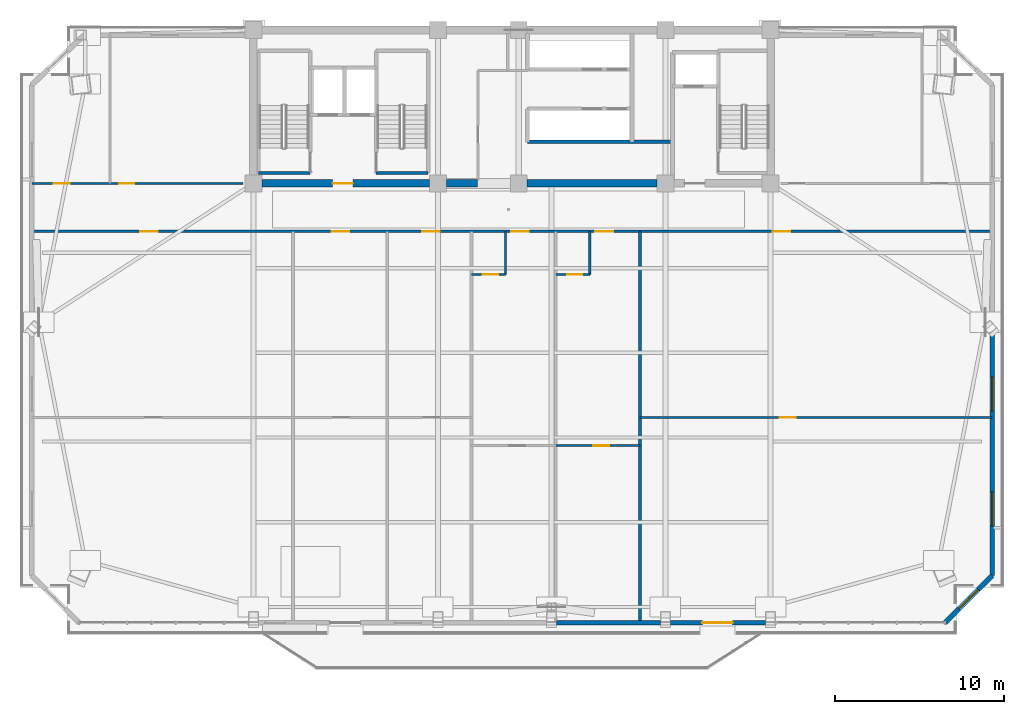
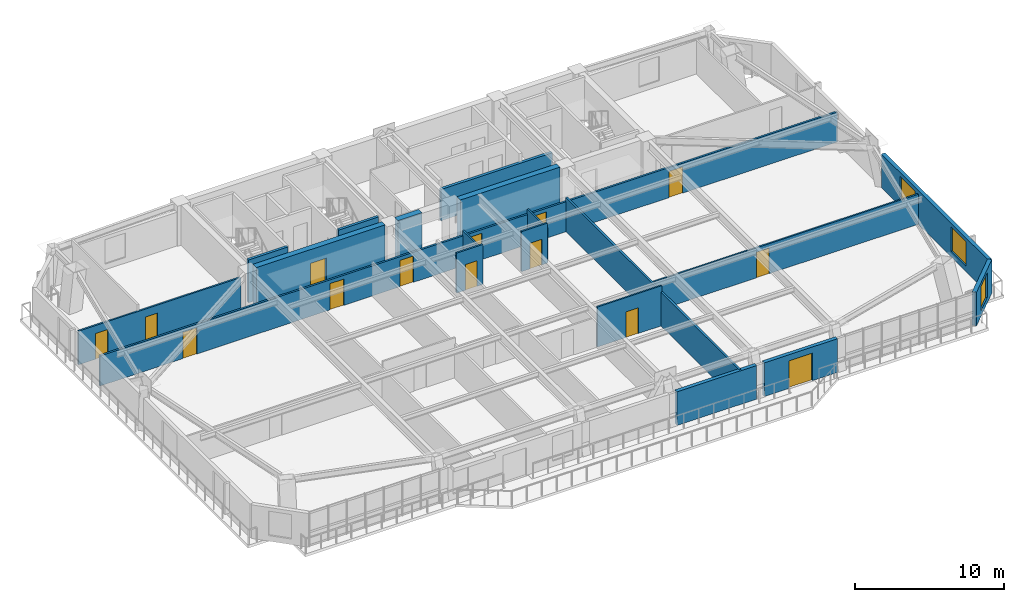
# One storey, part 8 of 16: 19 walls, 14 doors, 3 windows, 17 openings.
"""IFC4 building model written with IfcOpenShell, lengths in metres."""

from ifc_helpers import new_model, si_unit, direction, frame, frame_2d, origin, place, context, subcontext, project, spatial, rectangle, extrude, source, transform, mapped, material, layer, layer_set, type_object, element, fill, save


model = new_model("IFC4")

# Units and contexts
model_context = context("Model", 3, precision=1e-05, world=origin(), true_north=direction((0.0, 1.0)))
body_context = subcontext(model_context, "Body", "Model", "MODEL_VIEW")
ifc_project = project(units=[si_unit("LENGTHUNIT", "METRE"), si_unit("AREAUNIT", "SQUARE_METRE"), si_unit("VOLUMEUNIT", "CUBIC_METRE"), si_unit("PLANEANGLEUNIT", "RADIAN"), si_unit("MASSUNIT", "GRAM", prefix="KILO")], contexts=[model_context])

# Site, building, storey
site_placement = place(None, origin())
site = spatial("IfcSite", under=ifc_project, at=site_placement, CompositionType="ELEMENT")
building_placement = place(site_placement, origin())
building = spatial("IfcBuilding", under=site, at=building_placement, Name="Giltprow Tower", CompositionType="ELEMENT")
storey_placement = place(building_placement, frame((0.0, 0.0, 209.699951171875)))
storey = spatial("IfcBuildingStorey", under=building, at=storey_placement, Name="L53", CompositionType="ELEMENT", Elevation=209.699951171875)

# Wall, opening, window
ifc_material_1 = material(Name="Precast concrete C40", Category="concrete")
ifc_layer_1 = layer(ifc_material_1, 0.300048828125, Name="Precast concrete C40")
ifc_layer_set_1 = layer_set([ifc_layer_1], Name="Precast concrete C40")
wall_type_1 = type_object("IfcWallType", Name="EW-NOTCH-CHAMFER-300", PredefinedType="SOLIDWALL", material=ifc_layer_set_1)
wall_1_placement = place(storey_placement, frame((60.89794921875, 11.385986328125, 0.0), z_axis=(0.0, 0.0, 1.0), x_axis=(0.707106781187, 0.707106781187, 0.0)))
wall_1 = element("IfcWall", 1, at=wall_1_placement, inside=storey, type_object=wall_type_1, Name="L53 Corner Notch Wall SE", PredefinedType="SOLIDWALL", context=body_context, shape_type="SweptSolid", body=[
    extrude(rectangle(XDim=3.9599609375, YDim=0.300048828125, at=frame_2d((1.97998046875, 0.0))), origin(), (0.0, 0.0, 1.0), 2.75),
])
opening_1_placement = place(wall_1_placement, frame((1.179931640625, 0.0, 0.449951171875)))
opening_1 = element("IfcOpeningElement", 2, at=opening_1_placement, cuts=wall_1, Name="Opening WN17", PredefinedType="OPENING", context=body_context, shape_type="SweptSolid", body=[
    extrude(rectangle(XDim=1.60009765625, YDim=2.0, at=frame_2d((0.800048828125, 1.0))), frame((0.0, 0.159912109375, 0.0), z_axis=(0.0, -1.0, 0.0), x_axis=(1.0, 0.0, 0.0)), (0.0, 0.0, 1.0), 0.320068359375),
])
ifc_material_2 = material(Name="Insulated glass", Category="glass")
window_type_1 = type_object("IfcWindowType", Name="WN-COR-1600x2000", PartitioningType="SINGLE_PANEL", PredefinedType="WINDOW", material=ifc_material_2)
shared_shape_1 = source(origin(), body_context, "Body", "SweptSolid", [
    extrude(rectangle(XDim=1.60009765625, YDim=2.0, at=frame_2d((0.800048828125, 1.0))), frame((0.0, 0.030029296875, 0.0), z_axis=(0.0, -1.0, 0.0), x_axis=(1.0, 0.0, 0.0)), (0.0, 0.0, 1.0), 0.06005859375),
])
window_1_placement = place(opening_1_placement, origin())
window_1 = element("IfcWindow", 3, at=window_1_placement, inside=storey, type_object=window_type_1, Name="L53 Corner Notch Window SE", OverallHeight=2.0, OverallWidth=1.60009765625, PartitioningType="SINGLE_PANEL", PredefinedType="WINDOW", context=body_context, shape_type="MappedRepresentation", body=[
    mapped(shared_shape_1, transform((0.0, 0.0, 0.0), x_axis=(1.0, 0.0, 0.0), y_axis=(0.0, 1.0, 0.0), z_axis=(0.0, 0.0, 1.0), scale=1.0)),
])
fill(opening_1, window_1)

# Wall
ifc_layer_2 = layer(ifc_material_1, 0.280029296875, Name="Precast concrete C40")
ifc_layer_set_2 = layer_set([ifc_layer_2], Name="Precast concrete C40")
wall_type_2 = type_object("IfcWallType", Name="EW-TOW-BRONZE-280", PredefinedType="SOLIDWALL", material=ifc_layer_set_2)
wall_2_placement = place(storey_placement, frame((37.85009765625, 11.385986328125, 0.0), z_axis=(0.0, 0.0, 1.0), x_axis=(1.0, 0.0, 0.0)))
element("IfcWall", 4, at=wall_2_placement, inside=storey, type_object=wall_type_2, Name="L53 South Expressed Frame Wall 4", PredefinedType="SOLIDWALL", context=body_context, shape_type="SweptSolid", body=[
    extrude(rectangle(XDim=6.14990234375, YDim=0.280029296875, at=frame_2d((3.074951171875, 0.0))), origin(), (0.0, 0.0, 1.0), 2.75),
])

# Wall, opening, door
wall_3_placement = place(storey_placement, frame((44.60009765625, 11.385986328125, 0.0), z_axis=(0.0, 0.0, 1.0), x_axis=(1.0, 0.0, 0.0)))
wall_3 = element("IfcWall", 5, at=wall_3_placement, inside=storey, type_object=wall_type_2, Name="L53 South Expressed Frame Wall 5", PredefinedType="SOLIDWALL", context=body_context, shape_type="SweptSolid", body=[
    extrude(rectangle(XDim=5.64990234375, YDim=0.280029296875, at=frame_2d((2.824951171875, 0.0))), origin(), (0.0, 0.0, 1.0), 2.75),
])
opening_2_placement = place(wall_3_placement, frame((1.89990234375, 0.0, 0.0)))
opening_2 = element("IfcOpeningElement", 6, at=opening_2_placement, cuts=wall_3, Name="Opening ED25", PredefinedType="OPENING", context=body_context, shape_type="SweptSolid", body=[
    extrude(rectangle(XDim=1.800048828125, YDim=2.25, at=frame_2d((0.89990234375, 1.125))), frame((0.0, 0.14990234375, 0.0), z_axis=(0.0, -1.0, 0.0), x_axis=(1.0, 0.0, 0.0)), (0.0, 0.0, 1.0), 0.300048828125),
])
ifc_material_3 = material(Name="Anodized bronze and glass", Category="glass")
door_type_1 = type_object("IfcDoorType", Name="DR-BALC-SLIDE-1800", OperationType="SLIDING_TO_LEFT", PredefinedType="DOOR", material=ifc_material_3)
shared_shape_2 = source(origin(), body_context, "Body", "SweptSolid", [
    extrude(rectangle(XDim=1.800048828125, YDim=2.25, at=frame_2d((0.89990234375, 1.125))), frame((0.0, 0.02490234375, 0.0), z_axis=(0.0, -1.0, 0.0), x_axis=(1.0, 0.0, 0.0)), (0.0, 0.0, 1.0), 0.050048828125),
])
door_1_placement = place(opening_2_placement, origin())
door_1 = element("IfcDoor", 7, at=door_1_placement, inside=storey, type_object=door_type_1, Name="L53 Waterfront Balcony Sliding Door 2", OperationType="SLIDING_TO_LEFT", OverallHeight=2.25, OverallWidth=1.800048828125, PredefinedType="DOOR", context=body_context, shape_type="MappedRepresentation", body=[
    mapped(shared_shape_2, transform((0.0, 0.0, 0.0), x_axis=(1.0, 0.0, 0.0), y_axis=(0.0, 1.0, 0.0), z_axis=(0.0, 0.0, 1.0), scale=1.0)),
])
fill(opening_2, door_1)

# Wall, openings, windows
wall_4_placement = place(storey_placement, frame((63.697998046875, 14.18603515625, 0.0), z_axis=(0.0, 0.0, 1.0), x_axis=(0.0, 1.0, 0.0)))
wall_4 = element("IfcWall", 8, at=wall_4_placement, inside=storey, type_object=wall_type_2, Name="L53 E Wing Masonry Wall 1", PredefinedType="SOLIDWALL", context=body_context, shape_type="SweptSolid", body=[
    extrude(rectangle(XDim=14.257080078125, YDim=0.280029296875, at=frame_2d((7.12841796875, 0.0))), origin(), (0.0, 0.0, 1.0), 2.75),
])
opening_3_placement = place(wall_4_placement, frame((2.947021484375, 0.0, 0.449951171875)))
opening_3 = element("IfcOpeningElement", 9, at=opening_3_placement, cuts=wall_4, Name="Opening WN21", PredefinedType="OPENING", context=body_context, shape_type="SweptSolid", body=[
    extrude(rectangle(XDim=2.0, YDim=2.0, at=frame_2d((1.0, 1.0))), frame((0.0, 0.14990234375, 0.0), z_axis=(0.0, -1.0, 0.0), x_axis=(1.0, 0.0, 0.0)), (0.0, 0.0, 1.0), 0.300048828125),
])
opening_4_placement = place(wall_4_placement, frame((9.77294921875, 0.0, 0.449951171875)))
opening_4 = element("IfcOpeningElement", 10, at=opening_4_placement, cuts=wall_4, Name="Opening WN21", PredefinedType="OPENING", context=body_context, shape_type="SweptSolid", body=[
    extrude(rectangle(XDim=2.0, YDim=2.0, at=frame_2d((1.0, 1.0))), frame((0.0, 0.14990234375, 0.0), z_axis=(0.0, -1.0, 0.0), x_axis=(1.0, 0.0, 0.0)), (0.0, 0.0, 1.0), 0.300048828125),
])
window_type_2 = type_object("IfcWindowType", Name="WN-HTL-2000x2000", PartitioningType="DOUBLE_PANEL_VERTICAL", PredefinedType="WINDOW", material=ifc_material_2)
shared_shape_3 = source(origin(), body_context, "Body", "SweptSolid", [
    extrude(rectangle(XDim=2.0, YDim=2.0, at=frame_2d((1.0, 1.0))), frame((0.0, 0.030029296875, 0.0), z_axis=(0.0, -1.0, 0.0), x_axis=(1.0, 0.0, 0.0)), (0.0, 0.0, 1.0), 0.06005859375),
])
window_2_placement = place(opening_3_placement, origin())
window_2 = element("IfcWindow", 11, at=window_2_placement, inside=storey, type_object=window_type_2, Name="L53 E Wing Window 1-1A", OverallHeight=2.0, OverallWidth=2.0, PartitioningType="SINGLE_PANEL", PredefinedType="WINDOW", context=body_context, shape_type="MappedRepresentation", body=[
    mapped(shared_shape_3, transform((0.0, 0.0, 0.0), x_axis=(1.0, 0.0, 0.0), y_axis=(0.0, 1.0, 0.0), z_axis=(0.0, 0.0, 1.0), scale=1.0)),
])
fill(opening_3, window_2)
window_3_placement = place(opening_4_placement, origin())
window_3 = element("IfcWindow", 12, at=window_3_placement, inside=storey, type_object=window_type_2, Name="L53 E Wing Window 1-1B", OverallHeight=2.0, OverallWidth=2.0, PartitioningType="SINGLE_PANEL", PredefinedType="WINDOW", context=body_context, shape_type="MappedRepresentation", body=[
    mapped(shared_shape_3, transform((0.0, 0.0, 0.0), x_axis=(1.0, 0.0, 0.0), y_axis=(0.0, 1.0, 0.0), z_axis=(0.0, 0.0, 1.0), scale=1.0)),
])
fill(opening_4, window_3)

# Wall, openings, doors
ifc_material_4 = material(Name="Gypsum stud partition", Category="gypsum")
ifc_layer_3 = layer(ifc_material_4, 0.14990234375, Name="Gypsum stud partition")
ifc_layer_set_3 = layer_set([ifc_layer_3], Name="Gypsum stud partition")
wall_type_3 = type_object("IfcWallType", Name="IW-CORR-150", PredefinedType="PARTITIONING", material=ifc_layer_set_3)
wall_5_placement = place(storey_placement, frame((6.702880859375, 34.60009765625, 0.0), z_axis=(0.0, 0.0, 1.0), x_axis=(1.0, 0.0, 0.0)))
wall_5 = element("IfcWall", 13, at=wall_5_placement, inside=storey, type_object=wall_type_3, Name="L53 Hotel Guestroom Corridor Wall", PredefinedType="PARTITIONING", context=body_context, shape_type="SweptSolid", body=[
    extrude(rectangle(XDim=56.9951171875, YDim=0.14990234375, at=frame_2d((28.49755859375, 0.0))), origin(), (0.0, 0.0, 1.0), 2.455078125),
])
opening_5_placement = place(wall_5_placement, frame((6.43896484375, 0.0, 0.0)))
opening_5 = element("IfcOpeningElement", 14, at=opening_5_placement, cuts=wall_5, Name="Opening ID31", PredefinedType="OPENING", context=body_context, shape_type="SweptSolid", body=[
    extrude(rectangle(XDim=1.050048828125, YDim=2.14990234375, at=frame_2d((0.52490234375, 1.074951171875))), frame((0.0, 0.0849609375, 0.0), z_axis=(0.0, -1.0, 0.0), x_axis=(1.0, 0.0, 0.0)), (0.0, 0.0, 1.0), 0.169921875),
])
opening_6_placement = place(wall_5_placement, frame((17.7939453125, 0.0, 0.0)))
opening_6 = element("IfcOpeningElement", 15, at=opening_6_placement, cuts=wall_5, Name="Opening ID31", PredefinedType="OPENING", context=body_context, shape_type="SweptSolid", body=[
    extrude(rectangle(XDim=1.050048828125, YDim=2.14990234375, at=frame_2d((0.52490234375, 1.074951171875))), frame((0.0, 0.0849609375, 0.0), z_axis=(0.0, -1.0, 0.0), x_axis=(1.0, 0.0, 0.0)), (0.0, 0.0, 1.0), 0.169921875),
])
opening_7_placement = place(wall_5_placement, frame((23.166015625, 0.0, 0.0)))
opening_7 = element("IfcOpeningElement", 16, at=opening_7_placement, cuts=wall_5, Name="Opening ID31", PredefinedType="OPENING", context=body_context, shape_type="SweptSolid", body=[
    extrude(rectangle(XDim=1.050048828125, YDim=2.14990234375, at=frame_2d((0.52490234375, 1.074951171875))), frame((0.0, 0.0849609375, 0.0), z_axis=(0.0, -1.0, 0.0), x_axis=(1.0, 0.0, 0.0)), (0.0, 0.0, 1.0), 0.169921875),
])
opening_8_placement = place(wall_5_placement, frame((28.452880859375, 0.0, 0.0)))
opening_8 = element("IfcOpeningElement", 17, at=opening_8_placement, cuts=wall_5, Name="Opening ID31", PredefinedType="OPENING", context=body_context, shape_type="SweptSolid", body=[
    extrude(rectangle(XDim=1.050048828125, YDim=2.14990234375, at=frame_2d((0.52490234375, 1.074951171875))), frame((0.0, 0.0849609375, 0.0), z_axis=(0.0, -1.0, 0.0), x_axis=(1.0, 0.0, 0.0)), (0.0, 0.0, 1.0), 0.169921875),
])
opening_9_placement = place(wall_5_placement, frame((33.452880859375, 0.0, 0.0)))
opening_9 = element("IfcOpeningElement", 18, at=opening_9_placement, cuts=wall_5, Name="Opening ID31", PredefinedType="OPENING", context=body_context, shape_type="SweptSolid", body=[
    extrude(rectangle(XDim=1.050048828125, YDim=2.14990234375, at=frame_2d((0.52490234375, 1.074951171875))), frame((0.0, 0.0849609375, 0.0), z_axis=(0.0, -1.0, 0.0), x_axis=(1.0, 0.0, 0.0)), (0.0, 0.0, 1.0), 0.169921875),
])
opening_10_placement = place(wall_5_placement, frame((43.972900390625, 0.0, 0.0)))
opening_10 = element("IfcOpeningElement", 19, at=opening_10_placement, cuts=wall_5, Name="Opening ID31", PredefinedType="OPENING", context=body_context, shape_type="SweptSolid", body=[
    extrude(rectangle(XDim=1.050048828125, YDim=2.14990234375, at=frame_2d((0.52490234375, 1.074951171875))), frame((0.0, 0.0849609375, 0.0), z_axis=(0.0, -1.0, 0.0), x_axis=(1.0, 0.0, 0.0)), (0.0, 0.0, 1.0), 0.169921875),
])
ifc_material_5 = material(Name="Engineered timber", Category="wood")
door_type_2 = type_object("IfcDoorType", Name="DR-SUITE-1050", OperationType="SINGLE_SWING_LEFT", PredefinedType="DOOR", material=ifc_material_5)
shared_shape_4 = source(origin(), body_context, "Body", "SweptSolid", [
    extrude(rectangle(XDim=1.050048828125, YDim=2.14990234375, at=frame_2d((0.52490234375, 1.074951171875))), frame((0.0, 0.02490234375, 0.0), z_axis=(0.0, -1.0, 0.0), x_axis=(1.0, 0.0, 0.0)), (0.0, 0.0, 1.0), 0.050048828125),
])
door_2_placement = place(opening_5_placement, origin())
door_2 = element("IfcDoor", 20, at=door_2_placement, inside=storey, type_object=door_type_2, Name="L53 Suite Reception Foyer Door", OperationType="SINGLE_SWING_LEFT", OverallHeight=2.14990234375, OverallWidth=1.050048828125, PredefinedType="DOOR", context=body_context, shape_type="MappedRepresentation", body=[
    mapped(shared_shape_4, transform((0.0, 0.0, 0.0), x_axis=(1.0, 0.0, 0.0), y_axis=(0.0, 1.0, 0.0), z_axis=(0.0, 0.0, 1.0), scale=1.0)),
])
fill(opening_5, door_2)
door_3_placement = place(opening_6_placement, origin())
door_3 = element("IfcDoor", 21, at=door_3_placement, inside=storey, type_object=door_type_2, Name="L53 Suite Reception Foyer Door", OperationType="SINGLE_SWING_LEFT", OverallHeight=2.14990234375, OverallWidth=1.050048828125, PredefinedType="DOOR", context=body_context, shape_type="MappedRepresentation", body=[
    mapped(shared_shape_4, transform((0.0, 0.0, 0.0), x_axis=(1.0, 0.0, 0.0), y_axis=(0.0, 1.0, 0.0), z_axis=(0.0, 0.0, 1.0), scale=1.0)),
])
fill(opening_6, door_3)
door_4_placement = place(opening_7_placement, origin())
door_4 = element("IfcDoor", 22, at=door_4_placement, inside=storey, type_object=door_type_2, Name="L53 Suite Reception Foyer Door", OperationType="SINGLE_SWING_LEFT", OverallHeight=2.14990234375, OverallWidth=1.050048828125, PredefinedType="DOOR", context=body_context, shape_type="MappedRepresentation", body=[
    mapped(shared_shape_4, transform((0.0, 0.0, 0.0), x_axis=(1.0, 0.0, 0.0), y_axis=(0.0, 1.0, 0.0), z_axis=(0.0, 0.0, 1.0), scale=1.0)),
])
fill(opening_7, door_4)
door_5_placement = place(opening_8_placement, origin())
door_5 = element("IfcDoor", 23, at=door_5_placement, inside=storey, type_object=door_type_2, Name="L53 Hotel Room 4 Entry Door", OperationType="SINGLE_SWING_LEFT", OverallHeight=2.14990234375, OverallWidth=1.050048828125, PredefinedType="DOOR", context=body_context, shape_type="MappedRepresentation", body=[
    mapped(shared_shape_4, transform((0.0, 0.0, 0.0), x_axis=(1.0, 0.0, 0.0), y_axis=(0.0, 1.0, 0.0), z_axis=(0.0, 0.0, 1.0), scale=1.0)),
])
fill(opening_8, door_5)
door_6_placement = place(opening_9_placement, origin())
door_6 = element("IfcDoor", 24, at=door_6_placement, inside=storey, type_object=door_type_2, Name="L53 Hotel Room 5 Entry Door", OperationType="SINGLE_SWING_RIGHT", OverallHeight=2.14990234375, OverallWidth=1.050048828125, PredefinedType="DOOR", context=body_context, shape_type="MappedRepresentation", body=[
    mapped(shared_shape_4, transform((0.0, 0.0, 0.0), x_axis=(1.0, 0.0, 0.0), y_axis=(0.0, 1.0, 0.0), z_axis=(0.0, 0.0, 1.0), scale=1.0)),
])
fill(opening_9, door_6)
door_7_placement = place(opening_10_placement, origin())
door_7 = element("IfcDoor", 25, at=door_7_placement, inside=storey, type_object=door_type_2, Name="L53 Suite Reception Foyer Door", OperationType="SINGLE_SWING_LEFT", OverallHeight=2.14990234375, OverallWidth=1.050048828125, PredefinedType="DOOR", context=body_context, shape_type="MappedRepresentation", body=[
    mapped(shared_shape_4, transform((0.0, 0.0, 0.0), x_axis=(1.0, 0.0, 0.0), y_axis=(0.0, 1.0, 0.0), z_axis=(0.0, 0.0, 1.0), scale=1.0)),
])
fill(opening_10, door_7)

# Wall
ifc_layer_4 = layer(ifc_material_4, 0.159912109375, Name="Gypsum stud partition")
ifc_layer_set_4 = layer_set([ifc_layer_4], Name="Gypsum stud partition")
wall_type_4 = type_object("IfcWallType", Name="IW-DEMISE-160", PredefinedType="PARTITIONING", material=ifc_layer_set_4)
wall_6_placement = place(storey_placement, frame((42.800048828125, 11.385986328125, 0.0), z_axis=(0.0, 0.0, 1.0), x_axis=(0.0, 1.0, 0.0)))
element("IfcWall", 26, at=wall_6_placement, inside=storey, type_object=wall_type_4, Name="L53 Hotel Demising Wall 5", PredefinedType="PARTITIONING", context=body_context, shape_type="SweptSolid", body=[
    extrude(rectangle(XDim=23.214111328125, YDim=0.159912109375, at=frame_2d((11.60693359375, 0.0))), origin(), (0.0, 0.0, 1.0), 2.755126953125),
])

# Wall, opening, door
ifc_layer_5 = layer(ifc_material_4, 0.1201171875, Name="Gypsum stud partition")
ifc_layer_set_5 = layer_set([ifc_layer_5], Name="Gypsum stud partition")
wall_type_5 = type_object("IfcWallType", Name="IW-ROOM-120", PredefinedType="PARTITIONING", material=ifc_layer_set_5)
wall_7_placement = place(storey_placement, frame((37.800048828125, 21.89306640625, 0.0), z_axis=(0.0, 0.0, 1.0), x_axis=(1.0, 0.0, 0.0)))
wall_7 = element("IfcWall", 27, at=wall_7_placement, inside=storey, type_object=wall_type_5, Name="L53 Suite Parlour Divider 5", PredefinedType="PARTITIONING", context=body_context, shape_type="SweptSolid", body=[
    extrude(rectangle(XDim=5.0, YDim=0.1201171875, at=frame_2d((2.5, 0.0))), origin(), (0.0, 0.0, 1.0), 3.27001953125),
])
opening_11_placement = place(wall_7_placement, frame((2.22509765625, 0.0, 0.0)))
opening_11 = element("IfcOpeningElement", 28, at=opening_11_placement, cuts=wall_7, Name="Opening ID11", PredefinedType="OPENING", context=body_context, shape_type="SweptSolid", body=[
    extrude(rectangle(XDim=0.949951171875, YDim=2.10009765625, at=frame_2d((0.47509765625, 1.050048828125))), frame((0.0, 0.070068359375, 0.0), z_axis=(0.0, -1.0, 0.0), x_axis=(1.0, 0.0, 0.0)), (0.0, 0.0, 1.0), 0.14013671875),
])
door_type_3 = type_object("IfcDoorType", Name="DR-ROOM-950", OperationType="SINGLE_SWING_RIGHT", PredefinedType="DOOR", material=ifc_material_5)
shared_shape_5 = source(origin(), body_context, "Body", "SweptSolid", [
    extrude(rectangle(XDim=0.949951171875, YDim=2.10009765625, at=frame_2d((0.47509765625, 1.050048828125))), frame((0.0, 0.02490234375, 0.0), z_axis=(0.0, -1.0, 0.0), x_axis=(1.0, 0.0, 0.0)), (0.0, 0.0, 1.0), 0.050048828125),
])
door_8_placement = place(opening_11_placement, origin())
door_8 = element("IfcDoor", 29, at=door_8_placement, inside=storey, type_object=door_type_3, Name="L53 Harbour Parlour 5 Door", OperationType="SINGLE_SWING_RIGHT", OverallHeight=2.10009765625, OverallWidth=0.949951171875, PredefinedType="DOOR", context=body_context, shape_type="MappedRepresentation", body=[
    mapped(shared_shape_5, transform((0.0, 0.0, 0.0), x_axis=(1.0, 0.0, 0.0), y_axis=(0.0, 1.0, 0.0), z_axis=(0.0, 0.0, 1.0), scale=1.0)),
])
fill(opening_11, door_8)

wall_8_placement = place(storey_placement, frame((42.800048828125, 23.55908203125, 0.0), z_axis=(0.0, 0.0, 1.0), x_axis=(1.0, 0.0, 0.0)))
wall_8 = element("IfcWall", 30, at=wall_8_placement, inside=storey, type_object=wall_type_5, Name="L53 Amenity Mid Wall 6", PredefinedType="PARTITIONING", context=body_context, shape_type="SweptSolid", body=[
    extrude(rectangle(XDim=20.89794921875, YDim=0.1201171875, at=frame_2d((10.448974609375, 0.0))), origin(), (0.0, 0.0, 1.0), 2.455078125),
])
opening_12_placement = place(wall_8_placement, frame((8.279052734375, 0.0, 0.0)))
opening_12 = element("IfcOpeningElement", 31, at=opening_12_placement, cuts=wall_8, Name="Opening ID11", PredefinedType="OPENING", context=body_context, shape_type="SweptSolid", body=[
    extrude(rectangle(XDim=0.949951171875, YDim=2.10009765625, at=frame_2d((0.47509765625, 1.050048828125))), frame((0.0, 0.070068359375, 0.0), z_axis=(0.0, -1.0, 0.0), x_axis=(1.0, 0.0, 0.0)), (0.0, 0.0, 1.0), 0.14013671875),
])
door_9_placement = place(opening_12_placement, origin())
door_9 = element("IfcDoor", 32, at=door_9_placement, inside=storey, type_object=door_type_3, Name="L53 Presidential Reception 3 Inner Door", OperationType="SINGLE_SWING_RIGHT", OverallHeight=2.10009765625, OverallWidth=0.949951171875, PredefinedType="DOOR", context=body_context, shape_type="MappedRepresentation", body=[
    mapped(shared_shape_5, transform((0.0, 0.0, 0.0), x_axis=(1.0, 0.0, 0.0), y_axis=(0.0, 1.0, 0.0), z_axis=(0.0, 0.0, 1.0), scale=1.0)),
])
fill(opening_12, door_9)

# Walls
ifc_material_6 = material(Name="Concrete C40", Category="concrete")
ifc_layer_6 = layer(ifc_material_6, 0.219970703125, Name="Concrete C40")
ifc_layer_set_6 = layer_set([ifc_layer_6], Name="Concrete C40")
wall_type_6 = type_object("IfcWallType", Name="IW-SHAFT-220", PredefinedType="SOLIDWALL", material=ifc_layer_set_6)
wall_9_placement = place(storey_placement, frame((36.1201171875, 39.919921875, 0.0), z_axis=(0.0, 0.0, 1.0), x_axis=(1.0, 0.0, 0.0)))
element("IfcWall", 33, at=wall_9_placement, inside=storey, type_object=wall_type_6, Name="L53 Mid-Rise South Lift Back Wall", PredefinedType="SOLIDWALL", context=body_context, shape_type="SweptSolid", body=[
    extrude(rectangle(XDim=8.599853515625, YDim=0.219970703125, at=frame_2d((4.2998046875, 0.0))), origin(), (0.0, 0.0, 1.0), 2.554931640625),
])
ifc_layer_7 = layer(ifc_material_6, 0.199951171875, Name="Concrete C40")
ifc_layer_set_7 = layer_set([ifc_layer_7], Name="Concrete C40")
wall_type_7 = type_object("IfcWallType", Name="IW-STAIR-200", PredefinedType="SOLIDWALL", material=ifc_layer_set_7)
wall_10_placement = place(storey_placement, frame((20.169921875, 38.070068359375, 0.0), z_axis=(0.0, 0.0, 1.0), x_axis=(1.0, 0.0, 0.0)))
element("IfcWall", 34, at=wall_10_placement, inside=storey, type_object=wall_type_7, Name="L53 Stair ST-1 South Bearing Wall", PredefinedType="SOLIDWALL", context=body_context, shape_type="SweptSolid", body=[
    extrude(rectangle(XDim=3.050048828125, YDim=0.199951171875, at=frame_2d((1.52490234375, 0.0))), origin(), (0.0, 0.0, 1.0), 3.5),
])
wall_11_placement = place(storey_placement, frame((27.139892578125, 38.070068359375, 0.0), z_axis=(0.0, 0.0, 1.0), x_axis=(1.0, 0.0, 0.0)))
element("IfcWall", 35, at=wall_11_placement, inside=storey, type_object=wall_type_7, Name="L53 Stair ST-2 South Bearing Wall", PredefinedType="SOLIDWALL", context=body_context, shape_type="SweptSolid", body=[
    extrude(rectangle(XDim=3.080078125, YDim=0.199951171875, at=frame_2d((1.5400390625, 0.0))), origin(), (0.0, 0.0, 1.0), 3.5),
])

# Wall, opening, door
ifc_material_7 = material(Name="Concrete C30", Category="concrete")
ifc_layer_8 = layer(ifc_material_7, 0.1298828125, Name="Concrete C30")
ifc_layer_set_8 = layer_set([ifc_layer_8], Name="Concrete C30")
wall_type_8 = type_object("IfcWallType", Name="IW-WET-130", PredefinedType="PARTITIONING", material=ifc_layer_set_8)
wall_12_placement = place(storey_placement, frame((32.800048828125, 32.050048828125, 0.0), z_axis=(0.0, 0.0, 1.0), x_axis=(1.0, 0.0, 0.0)))
wall_12 = element("IfcWall", 36, at=wall_12_placement, inside=storey, type_object=wall_type_8, Name="L53 En-Suite South Wall 4", PredefinedType="PARTITIONING", context=body_context, shape_type="SweptSolid", body=[
    extrude(rectangle(XDim=2.015869140625, YDim=0.1298828125, at=frame_2d((1.0078125, 0.0))), origin(), (0.0, 0.0, 1.0), 3.27001953125),
])
opening_13_placement = place(wall_12_placement, frame((0.677978515625, 0.0, 0.0)))
opening_13 = element("IfcOpeningElement", 37, at=opening_13_placement, cuts=wall_12, Name="Opening ID15", PredefinedType="OPENING", context=body_context, shape_type="SweptSolid", body=[
    extrude(rectangle(XDim=0.89990234375, YDim=2.10009765625, at=frame_2d((0.449951171875, 1.050048828125))), frame((0.0, 0.074951171875, 0.0), z_axis=(0.0, -1.0, 0.0), x_axis=(1.0, 0.0, 0.0)), (0.0, 0.0, 1.0), 0.14990234375),
])
door_type_4 = type_object("IfcDoorType", Name="DR-WC-900", OperationType="SINGLE_SWING_LEFT", PredefinedType="DOOR", material=ifc_material_5)
shared_shape_6 = source(origin(), body_context, "Body", "SweptSolid", [
    extrude(rectangle(XDim=0.89990234375, YDim=2.10009765625, at=frame_2d((0.449951171875, 1.050048828125))), frame((0.0, 0.02490234375, 0.0), z_axis=(0.0, -1.0, 0.0), x_axis=(1.0, 0.0, 0.0)), (0.0, 0.0, 1.0), 0.050048828125),
])
door_10_placement = place(opening_13_placement, origin())
door_10 = element("IfcDoor", 38, at=door_10_placement, inside=storey, type_object=door_type_4, Name="L53 En-Suite 4 Door", OperationType="SINGLE_SWING_RIGHT", OverallHeight=2.10009765625, OverallWidth=0.89990234375, PredefinedType="DOOR", context=body_context, shape_type="MappedRepresentation", body=[
    mapped(shared_shape_6, transform((0.0, 0.0, 0.0), x_axis=(1.0, 0.0, 0.0), y_axis=(0.0, 1.0, 0.0), z_axis=(0.0, 0.0, 1.0), scale=1.0)),
])
fill(opening_13, door_10)

# Wall
wall_13_placement = place(storey_placement, frame((34.81591796875, 32.050048828125, 0.0), z_axis=(0.0, 0.0, 1.0), x_axis=(0.0, 1.0, 0.0)))
element("IfcWall", 39, at=wall_13_placement, inside=storey, type_object=wall_type_8, Name="L53 En-Suite East Wall 4", PredefinedType="PARTITIONING", context=body_context, shape_type="SweptSolid", body=[
    extrude(rectangle(XDim=2.550048828125, YDim=0.1298828125, at=frame_2d((1.27490234375, 0.0))), origin(), (0.0, 0.0, 1.0), 2.85498046875),
])

# Wall, opening, door
wall_14_placement = place(storey_placement, frame((37.800048828125, 32.050048828125, 0.0), z_axis=(0.0, 0.0, 1.0), x_axis=(1.0, 0.0, 0.0)))
wall_14 = element("IfcWall", 40, at=wall_14_placement, inside=storey, type_object=wall_type_8, Name="L53 En-Suite South Wall 5", PredefinedType="PARTITIONING", context=body_context, shape_type="SweptSolid", body=[
    extrude(rectangle(XDim=2.015869140625, YDim=0.1298828125, at=frame_2d((1.0078125, 0.0))), origin(), (0.0, 0.0, 1.0), 3.27001953125),
])
opening_14_placement = place(wall_14_placement, frame((0.677978515625, 0.0, 0.0)))
opening_14 = element("IfcOpeningElement", 41, at=opening_14_placement, cuts=wall_14, Name="Opening ID15", PredefinedType="OPENING", context=body_context, shape_type="SweptSolid", body=[
    extrude(rectangle(XDim=0.89990234375, YDim=2.10009765625, at=frame_2d((0.449951171875, 1.050048828125))), frame((0.0, 0.074951171875, 0.0), z_axis=(0.0, -1.0, 0.0), x_axis=(1.0, 0.0, 0.0)), (0.0, 0.0, 1.0), 0.14990234375),
])
door_11_placement = place(opening_14_placement, origin())
door_11 = element("IfcDoor", 42, at=door_11_placement, inside=storey, type_object=door_type_4, Name="L53 En-Suite 5 Door", OperationType="SINGLE_SWING_LEFT", OverallHeight=2.10009765625, OverallWidth=0.89990234375, PredefinedType="DOOR", context=body_context, shape_type="MappedRepresentation", body=[
    mapped(shared_shape_6, transform((0.0, 0.0, 0.0), x_axis=(1.0, 0.0, 0.0), y_axis=(0.0, 1.0, 0.0), z_axis=(0.0, 0.0, 1.0), scale=1.0)),
])
fill(opening_14, door_11)

# Wall
wall_15_placement = place(storey_placement, frame((39.81591796875, 32.050048828125, 0.0), z_axis=(0.0, 0.0, 1.0), x_axis=(0.0, 1.0, 0.0)))
element("IfcWall", 43, at=wall_15_placement, inside=storey, type_object=wall_type_8, Name="L53 En-Suite East Wall 5", PredefinedType="PARTITIONING", context=body_context, shape_type="SweptSolid", body=[
    extrude(rectangle(XDim=2.550048828125, YDim=0.1298828125, at=frame_2d((1.27490234375, 0.0))), origin(), (0.0, 0.0, 1.0), 2.85498046875),
])

# Wall, openings, doors
wall_16_placement = place(storey_placement, frame((6.702880859375, 37.449951171875, 0.0), z_axis=(0.0, 0.0, 1.0), x_axis=(1.0, 0.0, 0.0)))
wall_16 = element("IfcWall", 44, at=wall_16_placement, inside=storey, type_object=wall_type_8, Name="L53 NW Wing South Wall", PredefinedType="PARTITIONING", context=body_context, shape_type="SweptSolid", body=[
    extrude(rectangle(XDim=12.547119140625, YDim=0.1298828125, at=frame_2d((6.2734375, 0.0))), origin(), (0.0, 0.0, 1.0), 2.755126953125),
])
opening_15_placement = place(wall_16_placement, frame((1.31494140625, 0.0, 0.0)))
opening_15 = element("IfcOpeningElement", 45, at=opening_15_placement, cuts=wall_16, Name="Opening ID11", PredefinedType="OPENING", context=body_context, shape_type="SweptSolid", body=[
    extrude(rectangle(XDim=0.949951171875, YDim=2.10009765625, at=frame_2d((0.47509765625, 1.050048828125))), frame((0.0, 0.074951171875, 0.0), z_axis=(0.0, -1.0, 0.0), x_axis=(1.0, 0.0, 0.0)), (0.0, 0.0, 1.0), 0.14990234375),
])
opening_16_placement = place(wall_16_placement, frame((5.18798828125, 0.0, 0.0)))
opening_16 = element("IfcOpeningElement", 46, at=opening_16_placement, cuts=wall_16, Name="Opening ID15", PredefinedType="OPENING", context=body_context, shape_type="SweptSolid", body=[
    extrude(rectangle(XDim=0.89990234375, YDim=2.10009765625, at=frame_2d((0.449951171875, 1.050048828125))), frame((0.0, 0.074951171875, 0.0), z_axis=(0.0, -1.0, 0.0), x_axis=(1.0, 0.0, 0.0)), (0.0, 0.0, 1.0), 0.14990234375),
])
door_12_placement = place(opening_16_placement, origin())
door_12 = element("IfcDoor", 47, at=door_12_placement, inside=storey, type_object=door_type_4, Name="L53 NW Washroom Door", OperationType="SINGLE_SWING_RIGHT", OverallHeight=2.10009765625, OverallWidth=0.89990234375, PredefinedType="DOOR", context=body_context, shape_type="MappedRepresentation", body=[
    mapped(shared_shape_6, transform((0.0, 0.0, 0.0), x_axis=(1.0, 0.0, 0.0), y_axis=(0.0, 1.0, 0.0), z_axis=(0.0, 0.0, 1.0), scale=1.0)),
])
fill(opening_16, door_12)
door_13_placement = place(opening_15_placement, origin())
door_13 = element("IfcDoor", 48, at=door_13_placement, inside=storey, type_object=door_type_3, Name="L53 Hotel Floor Butler Office West Door", OperationType="SINGLE_SWING_LEFT", OverallHeight=2.10009765625, OverallWidth=0.949951171875, PredefinedType="DOOR", context=body_context, shape_type="MappedRepresentation", body=[
    mapped(shared_shape_5, transform((0.0, 0.0, 0.0), x_axis=(1.0, 0.0, 0.0), y_axis=(0.0, 1.0, 0.0), z_axis=(0.0, 0.0, 1.0), scale=1.0)),
])
fill(opening_15, door_13)

# Wall, opening, door
ifc_material_8 = material(Name="Concrete C50", Category="concrete")
ifc_layer_9 = layer(ifc_material_8, 0.449951171875, Name="Concrete C50")
ifc_layer_set_9 = layer_set([ifc_layer_9], Name="Concrete C50")
wall_type_9 = type_object("IfcWallType", Name="SW-INT-450-C50", PredefinedType="SHEAR", material=ifc_layer_set_9)
wall_17_placement = place(storey_placement, frame((20.35009765625, 37.449951171875, 0.0), z_axis=(0.0, 0.0, 1.0), x_axis=(1.0, 0.0, 0.0)))
wall_17 = element("IfcWall", 49, at=wall_17_placement, inside=storey, type_object=wall_type_9, Name="L53 South Rear Core Shear Wall West", PredefinedType="SHEAR", context=body_context, shape_type="SweptSolid", body=[
    extrude(rectangle(XDim=9.949951171875, YDim=0.449951171875, at=frame_2d((4.97509765625, 0.0))), origin(), (0.0, 0.0, 1.0), 3.27001953125),
])
opening_17_placement = place(wall_17_placement, frame((4.199951171875, 0.0, 0.0)))
opening_17 = element("IfcOpeningElement", 50, at=opening_17_placement, cuts=wall_17, Name="Opening ID19", PredefinedType="OPENING", context=body_context, shape_type="SweptSolid", body=[
    extrude(rectangle(XDim=1.199951171875, YDim=2.14990234375, at=frame_2d((0.60009765625, 1.074951171875))), frame((0.0, 0.23486328125, 0.0), z_axis=(0.0, -1.0, 0.0), x_axis=(1.0, 0.0, 0.0)), (0.0, 0.0, 1.0), 0.469970703125),
])
ifc_material_9 = material(Name="Steel fire leaf", Category="steel")
door_type_5 = type_object("IfcDoorType", Name="DR-FFLOBBY-1200", OperationType="SINGLE_SWING_RIGHT", PredefinedType="DOOR", material=ifc_material_9)
shared_shape_7 = source(origin(), body_context, "Body", "SweptSolid", [
    extrude(rectangle(XDim=1.199951171875, YDim=2.14990234375, at=frame_2d((0.60009765625, 1.074951171875))), frame((0.0, 0.02490234375, 0.0), z_axis=(0.0, -1.0, 0.0), x_axis=(1.0, 0.0, 0.0)), (0.0, 0.0, 1.0), 0.050048828125),
])
door_14_placement = place(opening_17_placement, origin())
door_14 = element("IfcDoor", 51, at=door_14_placement, inside=storey, type_object=door_type_5, Name="L53 West Firefighting Lobby Entry Door", OperationType="SINGLE_SWING_RIGHT", OverallHeight=2.14990234375, OverallWidth=1.199951171875, PredefinedType="DOOR", context=body_context, shape_type="MappedRepresentation", body=[
    mapped(shared_shape_7, transform((0.0, 0.0, 0.0), x_axis=(1.0, 0.0, 0.0), y_axis=(0.0, 1.0, 0.0), z_axis=(0.0, 0.0, 1.0), scale=1.0)),
])
fill(opening_17, door_14)

# Walls
wall_18_placement = place(storey_placement, frame((31.300048828125, 37.449951171875, 0.0), z_axis=(0.0, 0.0, 1.0), x_axis=(1.0, 0.0, 0.0)))
element("IfcWall", 52, at=wall_18_placement, inside=storey, type_object=wall_type_9, Name="L53 South Rear Core Shear Wall Mid-West", PredefinedType="SHEAR", context=body_context, shape_type="SweptSolid", body=[
    extrude(rectangle(XDim=1.849853515625, YDim=0.449951171875, at=frame_2d((0.9248046875, 0.0))), origin(), (0.0, 0.0, 1.0), 3.27001953125),
])
wall_19_placement = place(storey_placement, frame((36.10009765625, 37.449951171875, 0.0), z_axis=(0.0, 0.0, 1.0), x_axis=(1.0, 0.0, 0.0)))
element("IfcWall", 53, at=wall_19_placement, inside=storey, type_object=wall_type_9, Name="L53 South Rear Core Shear Wall Mid-East", PredefinedType="SHEAR", context=body_context, shape_type="SweptSolid", body=[
    extrude(rectangle(XDim=7.699951171875, YDim=0.449951171875, at=frame_2d((3.85009765625, 0.0))), origin(), (0.0, 0.0, 1.0), 3.27001953125),
])

save(model, "model.ifc")
